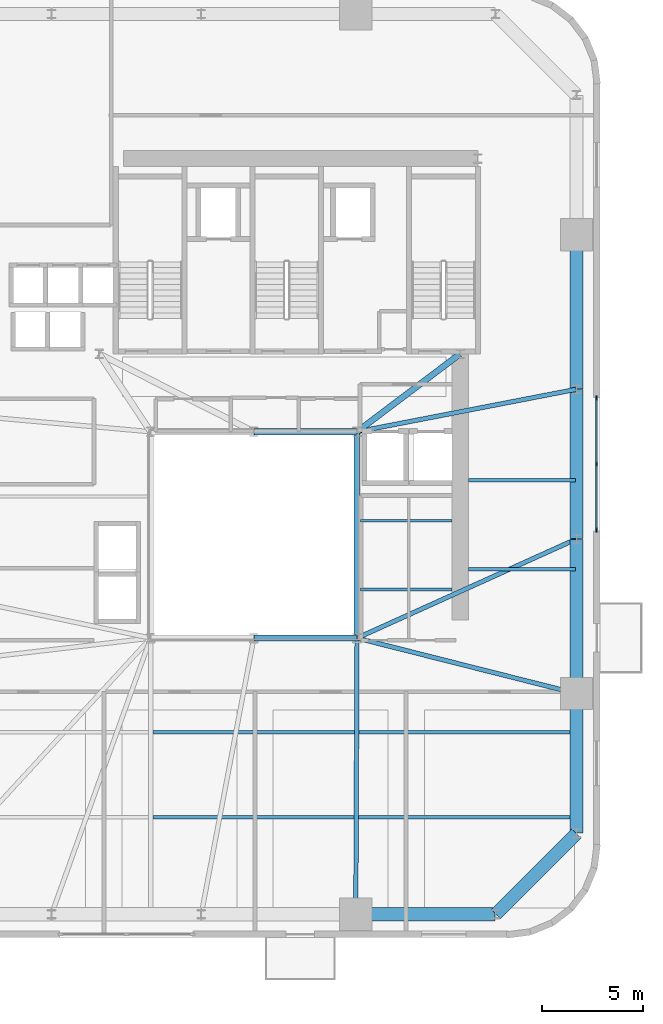
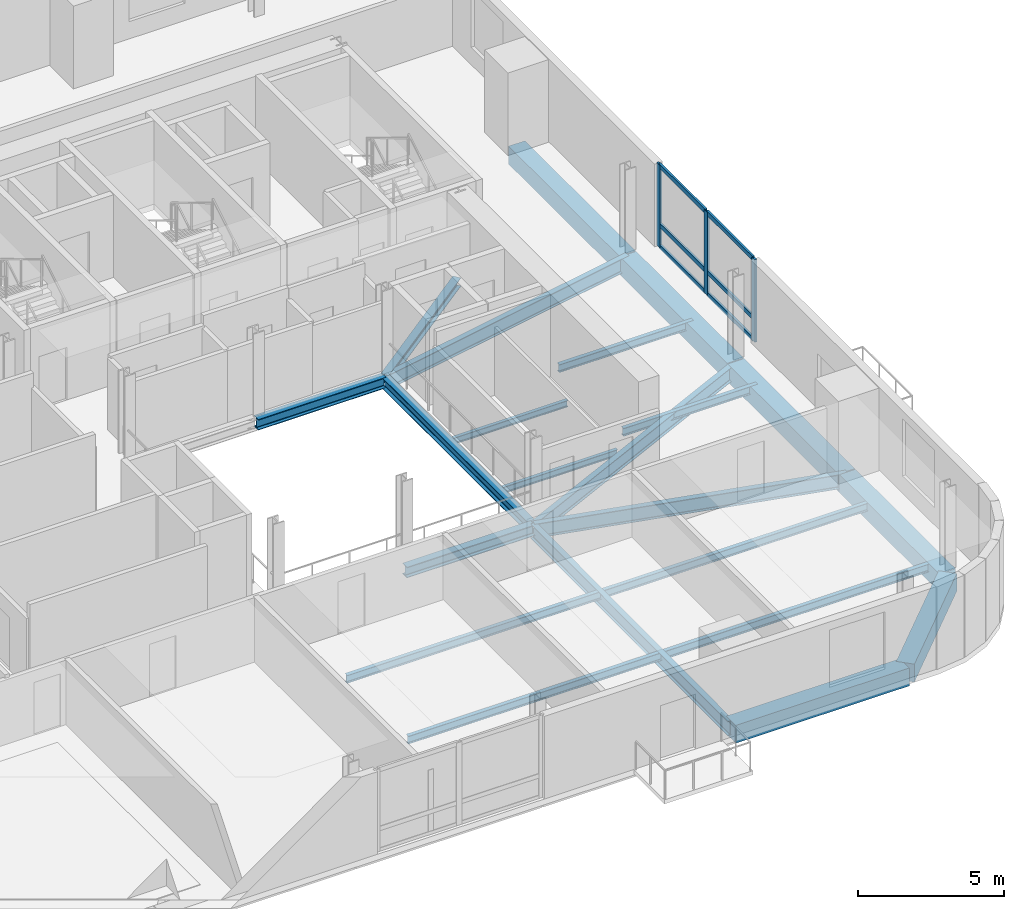
# One storey, part 3 of 13: 20 beams, 9 members, 1 element without a shape of its own.
"""IFC4 building model written with IfcOpenShell, lengths in metres."""

from ifc_helpers import new_model, si_unit, direction, frame, origin, origin_2d, place, context, subcontext, project, spatial, rectangle, i_section, extrude, source, transform, mapped, material, material_profile, profile_set, type_object, element, aggregate, save


model = new_model("IFC4")

# Units and contexts
model_context = context("Model", 3, precision=1e-05, world=origin(), true_north=direction((0.0, 1.0)))
body_context = subcontext(model_context, "Body", "Model", "MODEL_VIEW")
ifc_project = project(units=[si_unit("LENGTHUNIT", "METRE"), si_unit("AREAUNIT", "SQUARE_METRE"), si_unit("VOLUMEUNIT", "CUBIC_METRE"), si_unit("PLANEANGLEUNIT", "RADIAN"), si_unit("MASSUNIT", "GRAM", prefix="KILO")], contexts=[model_context])

# Site, building, storey
site_placement = place(None, origin())
site = spatial("IfcSite", under=ifc_project, at=site_placement, CompositionType="ELEMENT")
building_placement = place(site_placement, origin())
building = spatial("IfcBuilding", under=site, at=building_placement, Name="Vardaveli Station Tower", CompositionType="ELEMENT")
storey_placement = place(building_placement, frame((0.0, 0.0, 115.0)))
storey = spatial("IfcBuildingStorey", under=building, at=storey_placement, Name="L29", CompositionType="ELEMENT", Elevation=115.0)

# Beams
ifc_material_1 = material(Name="Structural steel S355J2", Category="steel")
ifc_material_profile_1 = material_profile(ifc_material_1, i_section(OverallWidth=0.300048828125, OverallDepth=0.449951171875, WebThickness=0.013916015625, FlangeThickness=0.02587890625, FilletRadius=0.027099609375, at=origin_2d()), Name="HEB 450")
ifc_profile_set_1 = profile_set([ifc_material_profile_1], Name="Structural steel S355J2")
beam_type_1 = type_object("IfcBeamType", Name="BM-HEB450", PredefinedType="BEAM", material=ifc_profile_set_1)
shared_shape_1 = source(origin(), body_context, "Body", "SweptSolid", [
    extrude(i_section(OverallWidth=0.300048828125, OverallDepth=0.449951171875, WebThickness=0.013916015625, FlangeThickness=0.02587890625, FilletRadius=0.027099609375, at=origin_2d()), origin(), (0.0, 0.0, 1.0), 5.059814453125),
])
for number, where, z_axis, x_axis, name in (
    (1, (36.320068359375, 16.60009765625, -0.465087890625), (1.0, 0.0, 0.0), (0.0, 1.0, 0.0), "ABM-L29-02"),
    (2, (41.3798828125, 26.800048828125, -0.465087890625), (-1.0, 0.0, 0.0), (0.0, -1.0, 0.0), "ABM-L29-04"),
):
    element("IfcBeam", number, at=place(storey_placement, frame(where, z_axis=z_axis, x_axis=x_axis)), inside=storey, type_object=beam_type_1, Name=name, PredefinedType="BEAM", context=body_context, shape_type="MappedRepresentation", body=[
        mapped(shared_shape_1, transform((0.0, 0.0, 0.0), scale=1.0)),
    ])
shared_shape_2 = source(origin(), body_context, "Body", "SweptSolid", [
    extrude(i_section(OverallWidth=0.300048828125, OverallDepth=0.449951171875, WebThickness=0.013916015625, FlangeThickness=0.02587890625, FilletRadius=0.027099609375, at=origin_2d()), origin(), (0.0, 0.0, 1.0), 10.159912109375),
])
beam_1_placement = place(storey_placement, frame((41.39990234375, 16.6201171875, -0.465087890625), z_axis=(0.0, 1.0, 0.0), x_axis=(-1.0, 0.0, 0.0)))
element("IfcBeam", 3, at=beam_1_placement, inside=storey, type_object=beam_type_1, Name="ABM-L29-03", PredefinedType="BEAM", context=body_context, shape_type="MappedRepresentation", body=[
    mapped(shared_shape_2, transform((0.0, 0.0, 0.0), scale=1.0)),
])
ifc_material_profile_2 = material_profile(ifc_material_1, i_section(OverallWidth=0.300048828125, OverallDepth=0.360107421875, WebThickness=0.012451171875, FlangeThickness=0.0224609375, FilletRadius=0.027099609375, at=origin_2d()), Name="HEB 360")
ifc_profile_set_2 = profile_set([ifc_material_profile_2], Name="Structural steel S355J2")
beam_type_2 = type_object("IfcBeamType", Name="BM-HEB360", PredefinedType="BEAM", material=ifc_profile_set_2)
shared_shape_3 = source(origin(), body_context, "Body", "SweptSolid", [
    extrude(i_section(OverallWidth=0.300048828125, OverallDepth=0.360107421875, WebThickness=0.012451171875, FlangeThickness=0.0224609375, FilletRadius=0.027099609375, at=origin_2d()), origin(), (0.0, 0.0, 1.0), 6.35009765625),
])
beam_2_placement = place(storey_placement, frame((41.416015625, 26.81201171875, -0.419921875), z_axis=(0.798118337722, 0.602500721154, 0.0), x_axis=(-0.602500721154, 0.798118337722, 0.0)))
element("IfcBeam", 4, at=beam_2_placement, inside=storey, type_object=beam_type_2, Name="CBM-L29-02", PredefinedType="BEAM", context=body_context, shape_type="MappedRepresentation", body=[
    mapped(shared_shape_3, transform((0.0, 0.0, 0.0), scale=1.0)),
])
ifc_material_2 = material(Name="Precast concrete C45/55", Category="concrete")
ifc_material_profile_3 = material_profile(ifc_material_2, rectangle(XDim=0.64990234375, YDim=0.75, at=origin_2d()), Name="LPB 650x750")
ifc_profile_set_3 = profile_set([ifc_material_profile_3], Name="Precast concrete C45/55")
beam_type_3 = type_object("IfcBeamType", Name="BM-LPB-750", PredefinedType="BEAM", material=ifc_profile_set_3)
shared_shape_4 = source(origin(), body_context, "Body", "SweptSolid", [
    extrude(rectangle(XDim=0.64990234375, YDim=0.75, at=origin_2d()), origin(), (0.0, 0.0, 1.0), 7.60009765625),
])
for number, where, z_axis, x_axis, name in (
    (5, (52.25, 13.8798828125, -0.614990234375), (0.0, 1.0, 0.0), (-1.0, 0.0, 0.0), "RBM-L29-07"),
    (6, (52.25, 28.919921875, -0.614990234375), (0.0, 1.0, 0.0), (-1.0, 0.0, 0.0), "RBM-L29-09"),
):
    element("IfcBeam", number, at=place(storey_placement, frame(where, z_axis=z_axis, x_axis=x_axis)), inside=storey, type_object=beam_type_3, Name=name, PredefinedType="BEAM", context=body_context, shape_type="MappedRepresentation", body=[
        mapped(shared_shape_4, transform((0.0, 0.0, 0.0), scale=1.0)),
    ])
shared_shape_5 = source(origin(), body_context, "Body", "SweptSolid", [
    extrude(rectangle(XDim=0.64990234375, YDim=0.75, at=origin_2d()), origin(), (0.0, 0.0, 1.0), 7.35986328125),
])
beam_3_placement = place(storey_placement, frame((52.25, 21.52001953125, -0.614990234375), z_axis=(0.0, 1.0, 0.0), x_axis=(-1.0, 0.0, 0.0)))
element("IfcBeam", 7, at=beam_3_placement, inside=storey, type_object=beam_type_3, Name="RBM-L29-08", PredefinedType="BEAM", context=body_context, shape_type="MappedRepresentation", body=[
    mapped(shared_shape_5, transform((0.0, 0.0, 0.0), scale=1.0)),
])
shared_shape_6 = source(origin(), body_context, "Body", "SweptSolid", [
    extrude(rectangle(XDim=0.64990234375, YDim=0.75, at=origin_2d()), origin(), (0.0, 0.0, 1.0), 6.869873046875),
])
beam_4_placement = place(storey_placement, frame((41.360107421875, 2.949951171875, -0.614990234375), z_axis=(1.0, 0.0, 0.0), x_axis=(0.0, 1.0, 0.0)))
element("IfcBeam", 8, at=beam_4_placement, inside=storey, type_object=beam_type_3, Name="RBM-L29-04", PredefinedType="BEAM", context=body_context, shape_type="MappedRepresentation", body=[
    mapped(shared_shape_6, transform((0.0, 0.0, 0.0), scale=1.0)),
])
shared_shape_7 = source(origin(), body_context, "Body", "SweptSolid", [
    extrude(rectangle(XDim=0.64990234375, YDim=0.75, at=origin_2d()), origin(), (0.0, 0.0, 1.0), 5.61669921875),
])
beam_5_placement = place(storey_placement, frame((48.26416015625, 2.964111328125, -0.614990234375), z_axis=(0.707106781187, 0.707106781187, 0.0), x_axis=(-0.707106781187, 0.707106781187, 0.0)))
element("IfcBeam", 9, at=beam_5_placement, inside=storey, type_object=beam_type_3, Name="RBM-L29-05", PredefinedType="BEAM", context=body_context, shape_type="MappedRepresentation", body=[
    mapped(shared_shape_7, transform((0.0, 0.0, 0.0), scale=1.0)),
])
shared_shape_8 = source(origin(), body_context, "Body", "SweptSolid", [
    extrude(rectangle(XDim=0.64990234375, YDim=0.75, at=origin_2d()), origin(), (0.0, 0.0, 1.0), 6.8701171875),
])
beam_6_placement = place(storey_placement, frame((52.25, 6.969970703125, -0.614990234375), z_axis=(0.0, 1.0, 0.0), x_axis=(-1.0, 0.0, 0.0)))
element("IfcBeam", 10, at=beam_6_placement, inside=storey, type_object=beam_type_3, Name="RBM-L29-06", PredefinedType="BEAM", context=body_context, shape_type="MappedRepresentation", body=[
    mapped(shared_shape_8, transform((0.0, 0.0, 0.0), scale=1.0)),
])
ifc_material_profile_4 = material_profile(ifc_material_1, i_section(OverallWidth=0.159912109375, OverallDepth=0.330078125, WebThickness=0.007568359375, FlangeThickness=0.011474609375, FilletRadius=0.01806640625, at=origin_2d()), Name="IPE 330")
ifc_profile_set_4 = profile_set([ifc_material_profile_4], Name="Structural steel S355J2")
beam_type_4 = type_object("IfcBeamType", Name="BM-IPE330", PredefinedType="JOIST", material=ifc_profile_set_4)
shared_shape_9 = source(origin(), body_context, "Body", "SweptSolid", [
    extrude(i_section(OverallWidth=0.159912109375, OverallDepth=0.330078125, WebThickness=0.007568359375, FlangeThickness=0.011474609375, FilletRadius=0.01806640625, at=origin_2d()), origin(), (0.0, 0.0, 1.0), 20.89794921875),
])
for number, where, z_axis, x_axis, name in (
    (11, (31.31201171875, 7.75, -0.405029296875), (1.0, 0.0, 0.0), (0.0, 1.0, 0.0), "SJ-L29-S02"),
    (12, (31.31201171875, 11.949951171875, -0.405029296875), (1.0, 0.0, 0.0), (0.0, 1.0, 0.0), "SJ-L29-S04"),
):
    element("IfcBeam", number, at=place(storey_placement, frame(where, z_axis=z_axis, x_axis=x_axis)), inside=storey, type_object=beam_type_4, Name=name, PredefinedType="JOIST", context=body_context, shape_type="MappedRepresentation", body=[
        mapped(shared_shape_9, transform((0.0, 0.0, 0.0), scale=1.0)),
    ])
shared_shape_10 = source(origin(), body_context, "Body", "SweptSolid", [
    extrude(i_section(OverallWidth=0.159912109375, OverallDepth=0.330078125, WebThickness=0.007568359375, FlangeThickness=0.011474609375, FilletRadius=0.01806640625, at=origin_2d()), origin(), (0.0, 0.0, 1.0), 5.304931640625),
])
for number, where, z_axis, x_axis, name in (
    (13, (46.905029296875, 20.0, -0.405029296875), (1.0, 0.0, 0.0), (0.0, 1.0, 0.0), "SJ-L29-E07"),
    (14, (46.905029296875, 24.39990234375, -0.405029296875), (1.0, 0.0, 0.0), (0.0, 1.0, 0.0), "SJ-L29-E08"),
):
    element("IfcBeam", number, at=place(storey_placement, frame(where, z_axis=z_axis, x_axis=x_axis)), inside=storey, type_object=beam_type_4, Name=name, PredefinedType="JOIST", context=body_context, shape_type="MappedRepresentation", body=[
        mapped(shared_shape_10, transform((0.0, 0.0, 0.0), scale=1.0)),
    ])
ifc_material_profile_5 = material_profile(ifc_material_1, i_section(OverallWidth=0.135009765625, OverallDepth=0.27001953125, WebThickness=0.006591796875, FlangeThickness=0.01025390625, FilletRadius=0.014892578125, at=origin_2d()), Name="IPE 270")
ifc_profile_set_5 = profile_set([ifc_material_profile_5], Name="Structural steel S355J2")
beam_type_5 = type_object("IfcBeamType", Name="BM-IPE270", PredefinedType="BEAM", material=ifc_profile_set_5)
shared_shape_11 = source(origin(), body_context, "Body", "SweptSolid", [
    extrude(i_section(OverallWidth=0.135009765625, OverallDepth=0.27001953125, WebThickness=0.006591796875, FlangeThickness=0.01025390625, FilletRadius=0.014892578125, at=origin_2d()), origin(), (0.0, 0.0, 1.0), 4.530029296875),
])
for number, where, z_axis, x_axis, name in (
    (15, (41.56494140625, 19.0, -0.375), (1.0, 0.0, 0.0), (0.0, 1.0, 0.0), "TJ-L29-01"),
    (16, (41.56494140625, 22.39990234375, -0.375), (1.0, 0.0, 0.0), (0.0, 1.0, 0.0), "TJ-L29-02"),
):
    element("IfcBeam", number, at=place(storey_placement, frame(where, z_axis=z_axis, x_axis=x_axis)), inside=storey, type_object=beam_type_5, Name=name, PredefinedType="BEAM", context=body_context, shape_type="MappedRepresentation", body=[
        mapped(shared_shape_11, transform((0.0, 0.0, 0.0), scale=1.0)),
    ])
ifc_material_profile_6 = material_profile(ifc_material_1, i_section(OverallWidth=0.219970703125, OverallDepth=0.60009765625, WebThickness=0.011962890625, FlangeThickness=0.01904296875, FilletRadius=0.02392578125, at=origin_2d()), Name="IPE 600")
ifc_profile_set_6 = profile_set([ifc_material_profile_6], Name="Structural steel S355J2")
beam_type_6 = type_object("IfcBeamType", Name="BM-IPE600", PredefinedType="BEAM", material=ifc_profile_set_6)
shared_shape_12 = source(origin(), body_context, "Body", "SweptSolid", [
    extrude(i_section(OverallWidth=0.219970703125, OverallDepth=0.60009765625, WebThickness=0.011962890625, FlangeThickness=0.01904296875, FilletRadius=0.02392578125, at=origin_2d()), origin(), (0.0, 0.0, 1.0), 13.6103515625),
])
beam_7_placement = place(storey_placement, frame((41.340087890625, 2.969970703125, -0.5400390625), z_axis=(0.004394812886, 0.999990342763, 0.0), x_axis=(-0.999990342763, 0.004394812886, 0.0)))
element("IfcBeam", 17, at=beam_7_placement, inside=storey, type_object=beam_type_6, Name="GBM-L29-04", PredefinedType="BEAM", context=body_context, shape_type="MappedRepresentation", body=[
    mapped(shared_shape_12, transform((0.0, 0.0, 0.0), scale=1.0)),
])
shared_shape_13 = source(origin(), body_context, "Body", "SweptSolid", [
    extrude(i_section(OverallWidth=0.219970703125, OverallDepth=0.60009765625, WebThickness=0.011962890625, FlangeThickness=0.01904296875, FilletRadius=0.02392578125, at=origin_2d()), origin(), (0.0, 0.0, 1.0), 11.150634765625),
])
beam_8_placement = place(storey_placement, frame((52.230712890625, 13.864990234375, -0.5400390625), z_axis=(-0.969561465826, 0.244848042642, 0.0), x_axis=(-0.244848042642, -0.969561465826, 0.0)))
element("IfcBeam", 18, at=beam_8_placement, inside=storey, type_object=beam_type_6, Name="GBM-L29-05", PredefinedType="BEAM", context=body_context, shape_type="MappedRepresentation", body=[
    mapped(shared_shape_13, transform((0.0, 0.0, 0.0), scale=1.0)),
])
shared_shape_14 = source(origin(), body_context, "Body", "SweptSolid", [
    extrude(i_section(OverallWidth=0.219970703125, OverallDepth=0.60009765625, WebThickness=0.011962890625, FlangeThickness=0.01904296875, FilletRadius=0.02392578125, at=origin_2d()), origin(), (0.0, 0.0, 1.0), 11.864990234375),
])
beam_9_placement = place(storey_placement, frame((52.231689453125, 21.49169921875, -0.5400390625), z_axis=(-0.911369354756, -0.411589478985, 0.0), x_axis=(0.411589478985, -0.911369354756, 0.0)))
element("IfcBeam", 19, at=beam_9_placement, inside=storey, type_object=beam_type_6, Name="GBM-L29-06", PredefinedType="BEAM", context=body_context, shape_type="MappedRepresentation", body=[
    mapped(shared_shape_14, transform((0.0, 0.0, 0.0), scale=1.0)),
])
shared_shape_15 = source(origin(), body_context, "Body", "SweptSolid", [
    extrude(i_section(OverallWidth=0.219970703125, OverallDepth=0.60009765625, WebThickness=0.011962890625, FlangeThickness=0.01904296875, FilletRadius=0.02392578125, at=origin_2d()), origin(), (0.0, 0.0, 1.0), 11.011474609375),
])
beam_10_placement = place(storey_placement, frame((52.23046875, 28.896240234375, -0.5400390625), z_axis=(-0.981777849093, -0.190032247343, 0.0), x_axis=(0.190032247343, -0.981777849093, 0.0)))
element("IfcBeam", 20, at=beam_10_placement, inside=storey, type_object=beam_type_6, Name="GBM-L29-07", PredefinedType="BEAM", context=body_context, shape_type="MappedRepresentation", body=[
    mapped(shared_shape_15, transform((0.0, 0.0, 0.0), scale=1.0)),
])

# Curtain wall, members
ifc_material_3 = material(Name="Travertine stone and solar-control glass", Category="masonry")
curtain_wall_type = type_object("IfcCurtainWallType", Name="CW-SYS-2", PredefinedType="NOTDEFINED", material=ifc_material_3)
curtain_wall_placement = place(storey_placement, origin())
curtain_wall = element("IfcCurtainWall", 21, at=curtain_wall_placement, inside=storey, type_object=curtain_wall_type, Name="CW-L29-E", PredefinedType="NOTDEFINED")
ifc_material_4 = material(Name="Anodised aluminium alloy 6063-T6", Category="aluminium")
ifc_material_profile_7 = material_profile(ifc_material_4, rectangle(XDim=0.0849609375, YDim=0.179931640625, at=origin_2d()), Name="CWT 85x180")
ifc_profile_set_7 = profile_set([ifc_material_profile_7], Name="Anodised aluminium alloy 6063-T6")
member_type_1 = type_object("IfcMemberType", Name="CW-SYS-2-TRAN", PredefinedType="NOTDEFINED", material=ifc_profile_set_7)
shared_shape_16 = source(origin(), body_context, "Body", "SweptSolid", [
    extrude(rectangle(XDim=0.0849609375, YDim=0.179931640625, at=origin_2d()), origin(), (0.0, 0.0, 1.0), 3.172607421875),
])
member_1_placement = place(storey_placement, frame((53.239990234375, 25.242431640625, 0.04248046875), z_axis=(0.0, 1.0, 0.0), x_axis=(-1.0, 0.0, 0.0)))
member_1 = element("IfcMember", 22, at=member_1_placement, type_object=member_type_1, Name="CW-2 transom 2.1", ObjectType="TRANSOM", PredefinedType="USERDEFINED", context=body_context, shape_type="MappedRepresentation", body=[
    mapped(shared_shape_16, transform((0.0, 0.0, 0.0), scale=1.0)),
])
member_2_placement = place(storey_placement, frame((53.239990234375, 25.242431640625, 0.949951171875), z_axis=(0.0, 1.0, 0.0), x_axis=(-1.0, 0.0, 0.0)))
member_2 = element("IfcMember", 23, at=member_2_placement, type_object=member_type_1, Name="CW-2 transom 2.2", ObjectType="TRANSOM", PredefinedType="USERDEFINED", context=body_context, shape_type="MappedRepresentation", body=[
    mapped(shared_shape_16, transform((0.0, 0.0, 0.0), scale=1.0)),
])
member_3_placement = place(storey_placement, frame((53.239990234375, 25.242431640625, 3.41748046875), z_axis=(0.0, 1.0, 0.0), x_axis=(-1.0, 0.0, 0.0)))
member_3 = element("IfcMember", 24, at=member_3_placement, type_object=member_type_1, Name="CW-2 transom 2.3", ObjectType="TRANSOM", PredefinedType="USERDEFINED", context=body_context, shape_type="MappedRepresentation", body=[
    mapped(shared_shape_16, transform((0.0, 0.0, 0.0), scale=1.0)),
])
shared_shape_17 = source(origin(), body_context, "Body", "SweptSolid", [
    extrude(rectangle(XDim=0.0849609375, YDim=0.179931640625, at=origin_2d()), origin(), (0.0, 0.0, 1.0), 3.17236328125),
])
member_4_placement = place(storey_placement, frame((53.239990234375, 21.985107421875, 0.04248046875), z_axis=(0.0, 1.0, 0.0), x_axis=(-1.0, 0.0, 0.0)))
member_4 = element("IfcMember", 25, at=member_4_placement, type_object=member_type_1, Name="CW-2 transom 1.1", ObjectType="TRANSOM", PredefinedType="USERDEFINED", context=body_context, shape_type="MappedRepresentation", body=[
    mapped(shared_shape_17, transform((0.0, 0.0, 0.0), scale=1.0)),
])
member_5_placement = place(storey_placement, frame((53.239990234375, 21.985107421875, 0.949951171875), z_axis=(0.0, 1.0, 0.0), x_axis=(-1.0, 0.0, 0.0)))
member_5 = element("IfcMember", 26, at=member_5_placement, type_object=member_type_1, Name="CW-2 transom 1.2", ObjectType="TRANSOM", PredefinedType="USERDEFINED", context=body_context, shape_type="MappedRepresentation", body=[
    mapped(shared_shape_17, transform((0.0, 0.0, 0.0), scale=1.0)),
])
member_6_placement = place(storey_placement, frame((53.239990234375, 21.985107421875, 3.41748046875), z_axis=(0.0, 1.0, 0.0), x_axis=(-1.0, 0.0, 0.0)))
member_6 = element("IfcMember", 27, at=member_6_placement, type_object=member_type_1, Name="CW-2 transom 1.3", ObjectType="TRANSOM", PredefinedType="USERDEFINED", context=body_context, shape_type="MappedRepresentation", body=[
    mapped(shared_shape_17, transform((0.0, 0.0, 0.0), scale=1.0)),
])
ifc_material_profile_8 = material_profile(ifc_material_4, rectangle(XDim=0.0849609375, YDim=0.219970703125, at=origin_2d()), Name="CWM 85x220")
ifc_profile_set_8 = profile_set([ifc_material_profile_8], Name="Anodised aluminium alloy 6063-T6")
member_type_2 = type_object("IfcMemberType", Name="CW-SYS-2-MULL", PredefinedType="MULLION", material=ifc_profile_set_8)
shared_shape_18 = source(origin(), body_context, "Body", "SweptSolid", [
    extrude(rectangle(XDim=0.0849609375, YDim=0.219970703125, at=origin_2d()), origin(), (0.0, 0.0, 1.0), 3.4599609375),
])
member_7_placement = place(storey_placement, frame((53.239990234375, 21.9423828125, 0.0), z_axis=(0.0, 0.0, 1.0), x_axis=(-1.0, 0.0, 0.0)))
member_7 = element("IfcMember", 28, at=member_7_placement, type_object=member_type_2, Name="CW-2 mullion 1", PredefinedType="MULLION", context=body_context, shape_type="MappedRepresentation", body=[
    mapped(shared_shape_18, transform((0.0, 0.0, 0.0), scale=1.0)),
])
member_8_placement = place(storey_placement, frame((53.239990234375, 25.199951171875, 0.0), z_axis=(0.0, 0.0, 1.0), x_axis=(-1.0, 0.0, 0.0)))
member_8 = element("IfcMember", 29, at=member_8_placement, type_object=member_type_2, Name="CW-2 mullion 2", PredefinedType="MULLION", context=body_context, shape_type="MappedRepresentation", body=[
    mapped(shared_shape_18, transform((0.0, 0.0, 0.0), scale=1.0)),
])
member_9_placement = place(storey_placement, frame((53.239990234375, 28.45751953125, 0.0), z_axis=(0.0, 0.0, 1.0), x_axis=(-1.0, 0.0, 0.0)))
member_9 = element("IfcMember", 30, at=member_9_placement, type_object=member_type_2, Name="CW-2 mullion 3", PredefinedType="MULLION", context=body_context, shape_type="MappedRepresentation", body=[
    mapped(shared_shape_18, transform((0.0, 0.0, 0.0), scale=1.0)),
])
aggregate(curtain_wall, [member_7, member_8, member_9, member_4, member_5, member_6, member_1, member_2, member_3])

save(model, "model.ifc")
